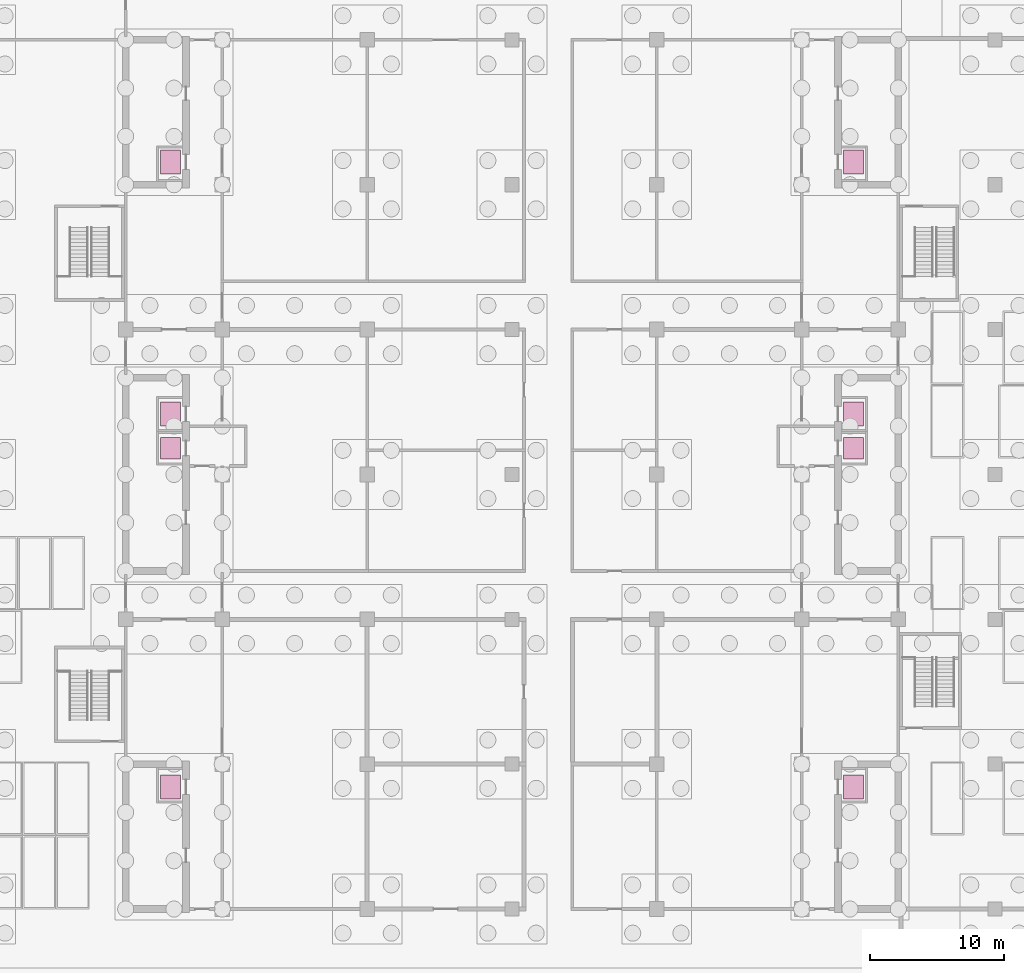
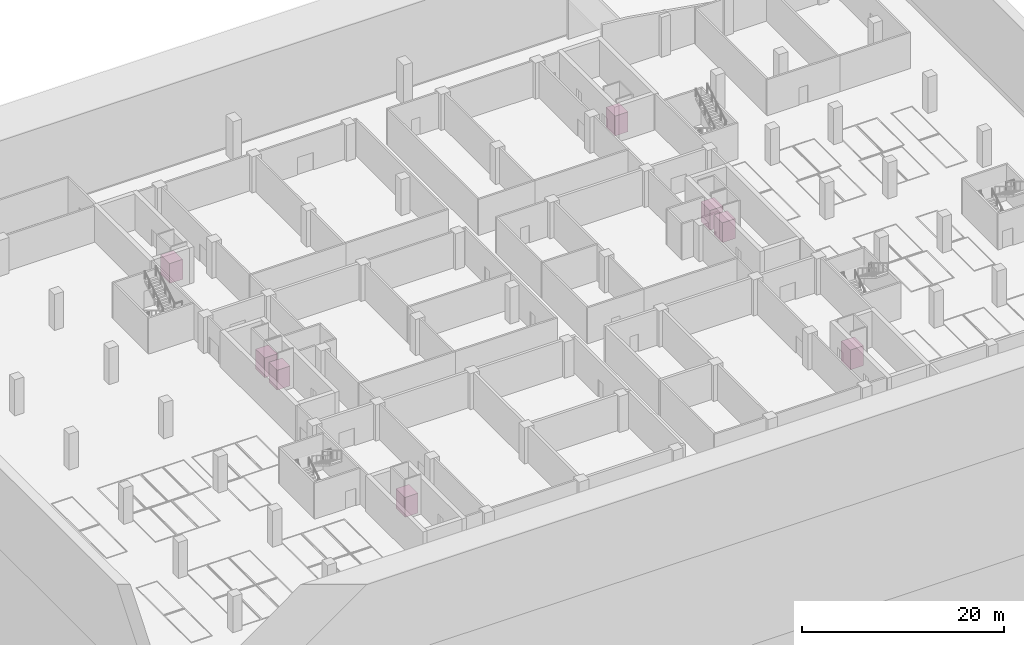
# One storey, part 18 of 18: 8 transport elements.
"""IFC4 building model written with IfcOpenShell, lengths in metres."""

import ifcopenshell
import ifcopenshell.guid

model = None  # the IFC model being written
_history = None  # IfcOwnerHistory: only IFC2X3 demands one
_inside = {}  # id of a spatial element -> (the spatial element, [elements in it])
_under = {}  # id of a project, library or spatial element -> (it, [spatial elements below it])
_declared = {}  # id of a project -> (the project, [libraries it declares])
_typed = {}  # id of a type object -> (the type object, [elements of that type])
_made_of = {}  # id of a material, layer set ... -> (it, [elements and type objects made of it])


def new_model(schema):
    """Start an empty IFC model of exactly this schema.

    Asked for "IFC4X3", IfcOpenShell would pick the latest addendum, in which some entities
    have other attributes; the version numbers below select the first issue.
    IFC2X3 requires an IfcOwnerHistory on every rooted entity: one is made here for all.
    """
    global model, _history
    if schema == "IFC4X3":
        model = ifcopenshell.file(schema_version=(4, 3, 0, 0))
    else:
        model = ifcopenshell.file(schema=schema)
    _inside.clear()
    _under.clear()
    _declared.clear()
    _typed.clear()
    _made_of.clear()
    _history = None
    if model.schema == "IFC2X3":
        org = make("IfcOrganization", Name="unknown")
        user = make(
            "IfcPersonAndOrganization",
            ThePerson=make("IfcPerson", FamilyName="unknown"),
            TheOrganization=org,
        )
        app = make(
            "IfcApplication",
            ApplicationDeveloper=org,
            Version="unknown",
            ApplicationFullName="unknown",
            ApplicationIdentifier="unknown",
        )
        _history = make(
            "IfcOwnerHistory",
            OwningUser=user,
            OwningApplication=app,
            ChangeAction="ADDED",
            CreationDate=0,
        )
    return model


def make(cls, **values):
    """One entity of the class cls with the attributes given. An attribute that is None is left unset."""
    return model.create_entity(
        cls, **{name: value for name, value in values.items() if value is not None}
    )


def rooted(cls, **values):
    """An entity with a GlobalId (a new one), such as an element, a storey or a relation."""
    return make(cls, GlobalId=ifcopenshell.guid.new(), OwnerHistory=_history, **values)


def si_unit(unit_type, name, prefix=None):
    """IfcSIUnit, for example si_unit("LENGTHUNIT", "METRE", prefix="MILLI")."""
    return make("IfcSIUnit", UnitType=unit_type, Prefix=prefix, Name=name)


def assignment(units):
    """IfcUnitAssignment: the units of a project."""
    return None if units is None else make("IfcUnitAssignment", Units=units)


def point(xyz):
    """IfcCartesianPoint."""
    return None if xyz is None else make("IfcCartesianPoint", Coordinates=xyz)


def direction(xyz):
    """IfcDirection."""
    return None if xyz is None else make("IfcDirection", DirectionRatios=xyz)


def frame(location, z_axis=None, x_axis=None):
    """IfcAxis2Placement3D, a coordinate frame: its origin and axes. An axis left out is left unset."""
    return make(
        "IfcAxis2Placement3D",
        Location=point(location),
        Axis=direction(z_axis),
        RefDirection=direction(x_axis),
    )


def frame_2d(location, x_axis=None):
    """IfcAxis2Placement2D, a coordinate frame in the plane: its origin and x axis."""
    return make(
        "IfcAxis2Placement2D", Location=point(location), RefDirection=direction(x_axis)
    )


def origin():
    """The frame at (0, 0, 0) with its axes left unset."""
    return frame((0.0, 0.0, 0.0))


def origin_2d():
    """The frame at (0, 0) in the plane with its x axis left unset."""
    return frame_2d((0.0, 0.0))


def place(relative_to, where):
    """IfcLocalPlacement: puts the frame where relative to a parent placement (None: the world)."""
    return make(
        "IfcLocalPlacement", PlacementRelTo=relative_to, RelativePlacement=where
    )


def context(
    kind, dimensions, precision=None, world=None, true_north=None, identifier=None
):
    """IfcGeometricRepresentationContext, for example the 3D "Model" context."""
    return make(
        "IfcGeometricRepresentationContext",
        ContextIdentifier=identifier,
        ContextType=kind,
        CoordinateSpaceDimension=dimensions,
        Precision=precision,
        WorldCoordinateSystem=world,
        TrueNorth=true_north,
    )


def subcontext(parent, identifier, kind, view, scale=None):
    """IfcGeometricRepresentationSubContext, for example "Body" below "Model"."""
    return make(
        "IfcGeometricRepresentationSubContext",
        ContextIdentifier=identifier,
        ContextType=kind,
        ParentContext=parent,
        TargetScale=scale,
        TargetView=view,
    )


def project(units=None, contexts=None):
    """IfcProject with its units and contexts."""
    return rooted(
        "IfcProject",
        Name="project",
        RepresentationContexts=contexts,
        UnitsInContext=assignment(units),
    )


def spatial(cls, under=None, at=None, **own):
    """A site, building, storey or space (cls), placed at a placement, below another one or the project."""
    s = rooted(cls, ObjectPlacement=at, **own)
    if under is not None:
        _under.setdefault(under.id(), (under, []))[1].append(s)
    return s


def profile(cls, at=None, kind="AREA", **sizes):
    """A parametric profile (cls). Its sizes go by their IFC names, for example OverallWidth=200.0."""
    return make(cls, ProfileType=kind, Position=at, **sizes)


def rectangle(**sizes):
    """IfcRectangleProfileDef."""
    return profile("IfcRectangleProfileDef", **sizes)


def extrude(swept, where, along, depth):
    """IfcExtrudedAreaSolid: the profile swept, set in the frame where, extruded along a direction by depth."""
    return make(
        "IfcExtrudedAreaSolid",
        SweptArea=swept,
        Position=where,
        ExtrudedDirection=direction(along),
        Depth=depth,
    )


def shape(context_of_items, identifier, shape_type, items):
    """IfcShapeRepresentation: the items that make up one representation, for example the "Body"."""
    return make(
        "IfcShapeRepresentation",
        ContextOfItems=context_of_items,
        RepresentationIdentifier=identifier,
        RepresentationType=shape_type,
        Items=items,
    )


def material(Name=None, Category=None):
    """IfcMaterial."""
    return make("IfcMaterial", Name=Name, Category=Category)


def made_of(thing, what):
    """Note that an element or type object is made of a material, layer set ...; save() writes the relation."""
    if what is not None:
        _made_of.setdefault(what.id(), (what, []))[1].append(thing)
    return thing


def type_object(cls, material=None, **own):
    """A type object (cls), such as IfcWallType, which elements share."""
    return made_of(rooted(cls, **own), material)


def element(
    cls,
    number,
    at=None,
    inside=None,
    cuts=None,
    type_object=None,
    material=None,
    context=None,
    identifier="Body",
    shape_type=None,
    held_by="IfcProductDefinitionShape",
    body=None,
    shapes=None,
    **own,
):
    """One element of the class cls, such as IfcWall. Its Tag is "e" and its number.

    at: its placement. inside: the storey or other place that contains it. cuts: it is an
    opening in that element (IfcRelVoidsElement). A single representation is given by context,
    identifier, shape_type and body (its items); several are given by shapes. held_by: the class
    of the entity that holds the representations. save() writes the other relations.
    """
    e = rooted(cls, Tag="e%d" % number, ObjectPlacement=at, **own)
    if body is not None:
        shapes = [shape(context, identifier, shape_type, body)]
    if shapes is not None:
        e.Representation = make(held_by, Representations=shapes)
    if inside is not None:
        _inside.setdefault(inside.id(), (inside, []))[1].append(e)
    if cuts is not None:
        rooted(
            "IfcRelVoidsElement", RelatingBuildingElement=cuts, RelatedOpeningElement=e
        )
    if type_object is not None:
        _typed.setdefault(type_object.id(), (type_object, []))[1].append(e)
    return made_of(e, material)


def aggregate(whole, parts):
    """IfcRelAggregates: a whole, such as a stair, and the parts it consists of."""
    return rooted("IfcRelAggregates", RelatingObject=whole, RelatedObjects=parts)


def save(model, path):
    """Write the relations noted so far, then the file.

    IfcRelAggregates (storeys below a building ...), IfcRelContainedInSpatialStructure (elements
    in a storey), IfcRelDefinesByType, IfcRelAssociatesMaterial and IfcRelDeclares: one each for
    every whole, place, type object, material and project.
    """
    for whole, parts in _under.values():
        aggregate(whole, parts)
    for where, things in _inside.values():
        rooted(
            "IfcRelContainedInSpatialStructure",
            RelatedElements=things,
            RelatingStructure=where,
        )
    for kind, things in _typed.values():
        rooted("IfcRelDefinesByType", RelatedObjects=things, RelatingType=kind)
    for what, things in _made_of.values():
        rooted("IfcRelAssociatesMaterial", RelatedObjects=things, RelatingMaterial=what)
    for by, libraries in _declared.values():
        rooted("IfcRelDeclares", RelatingContext=by, RelatedDefinitions=libraries)
    model.write(path)


model = new_model("IFC4")

# Units and contexts
model_context = context("Model", 3, precision=1e-05, world=origin(), true_north=direction((0.0, 1.0)))
body_context = subcontext(model_context, "Body", "Model", "MODEL_VIEW")
ifc_project = project(units=[si_unit("LENGTHUNIT", "METRE"), si_unit("AREAUNIT", "SQUARE_METRE"), si_unit("VOLUMEUNIT", "CUBIC_METRE"), si_unit("PLANEANGLEUNIT", "RADIAN"), si_unit("MASSUNIT", "GRAM", prefix="KILO")], contexts=[model_context])

# Site, building, storey
site_placement = place(None, origin())
site = spatial("IfcSite", under=ifc_project, at=site_placement, CompositionType="ELEMENT")
building_placement = place(site_placement, origin())
building = spatial("IfcBuilding", under=site, at=building_placement, Name="Basin Gate Institute", CompositionType="ELEMENT")
storey_placement = place(building_placement, frame((0.0, 0.0, -9.60009765625)))
storey = spatial("IfcBuildingStorey", under=building, at=storey_placement, Name="B2", CompositionType="ELEMENT", Elevation=-9.60009765625)

# Transport elements
ifc_material_1 = material(Name="Stainless steel", Category="steel")
transport_element_type_1 = type_object("IfcTransportElementType", Name="Firefighting lift LF", PredefinedType="ELEVATOR", material=ifc_material_1)
for number, where, z_axis, x_axis, name in (
    (1, (64.550048828125, 69.449951171875, 0.000244140625), (0.0, 0.0, 1.0), (1.0, 0.0, 0.0), "Emergency firefighting lift LF1"),
    (2, (115.449951171875, 69.449951171875, 0.000244140625), (0.0, 0.0, 1.0), (1.0, 0.0, 0.0), "Emergency firefighting lift LF2"),
):
    element("IfcTransportElement", number, at=place(storey_placement, frame(where, z_axis=z_axis, x_axis=x_axis)), inside=storey, type_object=transport_element_type_1, material=ifc_material_1, Name=name, PredefinedType="ELEVATOR", context=body_context, shape_type="SweptSolid", body=[
        extrude(rectangle(XDim=1.5, YDim=1.60009765625, at=origin_2d()), origin(), (0.0, 0.0, 1.0), 2.39990234375),
    ])
ifc_material_2 = material(Name="Stainless steel", Category="steel")
transport_element_type_2 = type_object("IfcTransportElementType", Name="Passenger lift LP", PredefinedType="ELEVATOR", material=ifc_material_2)
for number, where, z_axis, x_axis, name in (
    (3, (64.550048828125, 44.199951171875, 0.000244140625), (0.0, 0.0, 1.0), (1.0, 0.0, 0.0), "Passenger lift LP1"),
    (4, (64.550048828125, 72.0, 0.000244140625), (0.0, 0.0, 1.0), (1.0, 0.0, 0.0), "Passenger lift LP2"),
    (5, (64.550048828125, 90.800048828125, 0.000244140625), (0.0, 0.0, 1.0), (1.0, 0.0, 0.0), "Passenger lift LP3"),
    (6, (115.449951171875, 44.199951171875, 0.000244140625), (0.0, 0.0, 1.0), (1.0, 0.0, 0.0), "Passenger lift LP4"),
    (7, (115.449951171875, 72.0, 0.000244140625), (0.0, 0.0, 1.0), (1.0, 0.0, 0.0), "Passenger lift LP5"),
    (8, (115.449951171875, 90.800048828125, 0.000244140625), (0.0, 0.0, 1.0), (1.0, 0.0, 0.0), "Passenger lift LP6"),
):
    element("IfcTransportElement", number, at=place(storey_placement, frame(where, z_axis=z_axis, x_axis=x_axis)), inside=storey, type_object=transport_element_type_2, material=ifc_material_2, Name=name, PredefinedType="ELEVATOR", context=body_context, shape_type="SweptSolid", body=[
        extrude(rectangle(XDim=1.5, YDim=1.800048828125, at=origin_2d()), origin(), (0.0, 0.0, 1.0), 2.39990234375),
    ])

save(model, "model.ifc")
